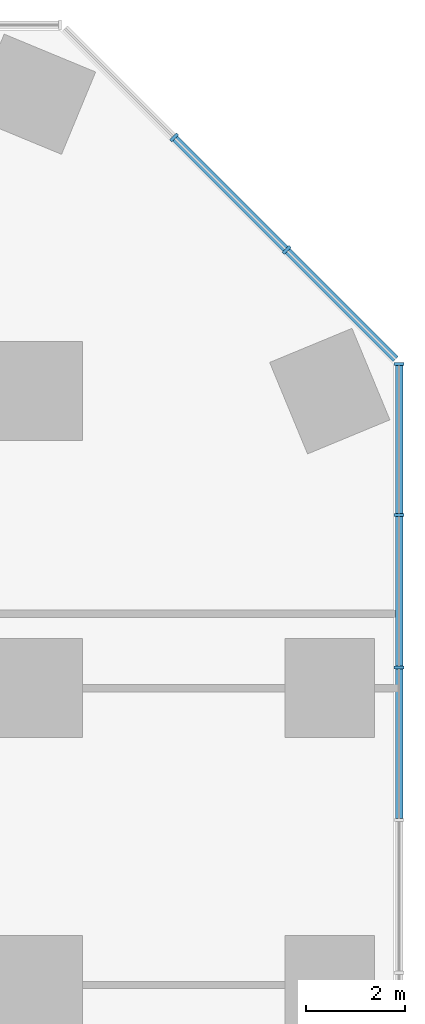
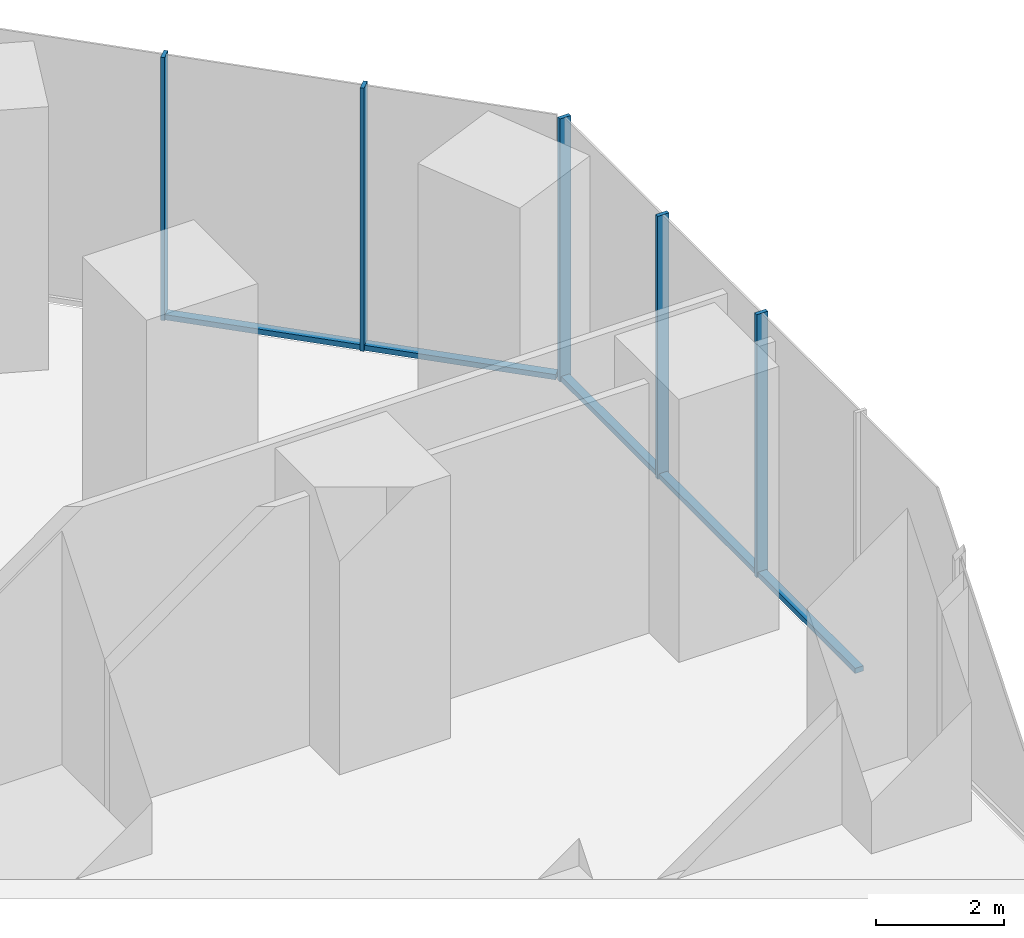
# One storey, part 8 of 15: 10 members, 2 elements without a shape of their own.
"""IFC4 building model written with IfcOpenShell, lengths in metres."""

from ifc_helpers import new_model, si_unit, direction, frame, origin, origin_2d, place, context, subcontext, project, spatial, rectangle, extrude, material, layer, layer_set, material_profile, profile_set, type_object, element, aggregate, save


model = new_model("IFC4")

# Units and contexts
model_context = context("Model", 3, precision=1e-05, world=origin(), true_north=direction((0.0, 1.0)))
body_context = subcontext(model_context, "Body", "Model", "MODEL_VIEW")
ifc_project = project(units=[si_unit("LENGTHUNIT", "METRE"), si_unit("AREAUNIT", "SQUARE_METRE"), si_unit("VOLUMEUNIT", "CUBIC_METRE"), si_unit("PLANEANGLEUNIT", "RADIAN"), si_unit("MASSUNIT", "GRAM", prefix="KILO")], contexts=[model_context])

# Site, building, storey
site_placement = place(None, origin())
site = spatial("IfcSite", under=ifc_project, at=site_placement, CompositionType="ELEMENT")
building_placement = place(site_placement, origin())
building = spatial("IfcBuilding", under=site, at=building_placement, Name="Highveld Stack Headquarters", CompositionType="ELEMENT")
storey_placement = place(building_placement, frame((0.0, 0.0, 6.0)))
storey = spatial("IfcBuildingStorey", under=building, at=storey_placement, Name="L01", CompositionType="ELEMENT", Elevation=6.0)

# Curtain wall, members
ifc_material_1 = material(Name="Aluminium bronze anodised", Category="aluminium")
ifc_layer = layer(ifc_material_1, 0.199951171875)
ifc_layer_set = layer_set([ifc_layer], Name="Aluminium bronze anodised")
curtain_wall_type = type_object("IfcCurtainWallType", Name="CW3 PODIUM STICK CURTAIN WALL", PredefinedType="NOTDEFINED", material=ifc_layer_set)
curtain_wall_1_placement = place(storey_placement, origin())
curtain_wall_1 = element("IfcCurtainWall", 1, at=curtain_wall_1_placement, inside=storey, type_object=curtain_wall_type, Name="Curtain wall CW3 L01 E", PredefinedType="NOTDEFINED")
ifc_material_2 = material(Name="Aluminium bronze anodised", Category="aluminium")
ifc_material_profile_1 = material_profile(ifc_material_2, rectangle(XDim=0.199951171875, YDim=0.06494140625, at=origin_2d()), Name="CW3 MULLION 65x200")
ifc_profile_set_1 = profile_set([ifc_material_profile_1], Name="Aluminium bronze anodised")
member_type_1 = type_object("IfcMemberType", Name="CW3 MULLION 65x200", PredefinedType="MULLION", material=ifc_profile_set_1)
member_1_placement = place(storey_placement, frame((37.39990234375, 18.414306640625, 0.0), z_axis=(0.0, 0.0, 1.0), x_axis=(-1.0, 0.0, 0.0)))
member_1 = element("IfcMember", 2, at=member_1_placement, type_object=member_type_1, Name="CW3 mullion L01 13", PredefinedType="MULLION", context=body_context, shape_type="SweptSolid", body=[
    extrude(rectangle(XDim=0.199951171875, YDim=0.06494140625, at=origin_2d()), origin(), (0.0, 0.0, 1.0), 5.0),
])
member_2_placement = place(storey_placement, frame((37.39990234375, 21.4970703125, 0.0), z_axis=(0.0, 0.0, 1.0), x_axis=(-1.0, 0.0, 0.0)))
member_2 = element("IfcMember", 3, at=member_2_placement, type_object=member_type_1, Name="CW3 mullion L01 14", PredefinedType="MULLION", context=body_context, shape_type="SweptSolid", body=[
    extrude(rectangle(XDim=0.199951171875, YDim=0.06494140625, at=origin_2d()), origin(), (0.0, 0.0, 1.0), 5.0),
])
member_3_placement = place(storey_placement, frame((37.39990234375, 24.54736328125, 0.0), z_axis=(0.0, 0.0, 1.0), x_axis=(-1.0, 0.0, 0.0)))
member_3 = element("IfcMember", 4, at=member_3_placement, type_object=member_type_1, Name="CW3 mullion L01 15", PredefinedType="MULLION", context=body_context, shape_type="SweptSolid", body=[
    extrude(rectangle(XDim=0.199951171875, YDim=0.06494140625, at=origin_2d()), origin(), (0.0, 0.0, 1.0), 5.0),
])

curtain_wall_2_placement = place(storey_placement, origin())
curtain_wall_2 = element("IfcCurtainWall", 5, at=curtain_wall_2_placement, inside=storey, type_object=curtain_wall_type, Name="Curtain wall CW3 L01 NE", PredefinedType="NOTDEFINED")
member_4_placement = place(storey_placement, frame((35.126708984375, 26.853271484375, 0.0), z_axis=(0.0, 0.0, 1.0), x_axis=(-0.707106781187, -0.707106781187, 0.0)))
member_4 = element("IfcMember", 6, at=member_4_placement, type_object=member_type_1, Name="CW3 mullion L01 1", PredefinedType="MULLION", context=body_context, shape_type="SweptSolid", body=[
    extrude(rectangle(XDim=0.199951171875, YDim=0.06494140625, at=origin_2d()), origin(), (0.0, 0.0, 1.0), 5.0),
])
member_5_placement = place(storey_placement, frame((32.853271484375, 29.126708984375, 0.0), z_axis=(0.0, 0.0, 1.0), x_axis=(-0.707106781187, -0.707106781187, 0.0)))
member_5 = element("IfcMember", 7, at=member_5_placement, type_object=member_type_1, Name="CW3 mullion L01 2", PredefinedType="MULLION", context=body_context, shape_type="SweptSolid", body=[
    extrude(rectangle(XDim=0.199951171875, YDim=0.06494140625, at=origin_2d()), origin(), (0.0, 0.0, 1.0), 5.0),
])

# Member
ifc_material_3 = material(Name="Aluminium bronze anodised", Category="aluminium")
ifc_material_profile_2 = material_profile(ifc_material_3, rectangle(XDim=0.14990234375, YDim=0.10009765625, at=origin_2d()), Name="CW3 TRANSOM 150x100")
ifc_profile_set_2 = profile_set([ifc_material_profile_2], Name="Aluminium bronze anodised")
member_type_2 = type_object("IfcMemberType", Name="CW3 STACK TRANSOM 150x100", PredefinedType="USERDEFINED", material=ifc_profile_set_2)
member_6_placement = place(storey_placement, frame((37.39990234375, 15.364013671875, 0.050048828125), z_axis=(0.0, 1.0, 0.0), x_axis=(-1.0, 0.0, 0.0)))
member_6 = element("IfcMember", 8, at=member_6_placement, type_object=member_type_2, Name="CW3 transom L01 12.1", ObjectType="TRANSOM", PredefinedType="USERDEFINED", context=body_context, shape_type="SweptSolid", body=[
    extrude(rectangle(XDim=0.14990234375, YDim=0.10009765625, at=origin_2d()), origin(), (0.0, 0.0, 1.0), 3.017578125),
])

member_7_placement = place(storey_placement, frame((37.39990234375, 18.44677734375, 0.050048828125), z_axis=(0.0, 1.0, 0.0), x_axis=(-1.0, 0.0, 0.0)))
member_7 = element("IfcMember", 9, at=member_7_placement, type_object=member_type_2, Name="CW3 transom L01 13.1", ObjectType="TRANSOM", PredefinedType="USERDEFINED", context=body_context, shape_type="SweptSolid", body=[
    extrude(rectangle(XDim=0.14990234375, YDim=0.10009765625, at=origin_2d()), origin(), (0.0, 0.0, 1.0), 3.017822265625),
])

member_8_placement = place(storey_placement, frame((37.39990234375, 21.529541015625, 0.050048828125), z_axis=(0.0, 1.0, 0.0), x_axis=(-1.0, 0.0, 0.0)))
member_8 = element("IfcMember", 10, at=member_8_placement, type_object=member_type_2, Name="CW3 transom L01 14.1", ObjectType="TRANSOM", PredefinedType="USERDEFINED", context=body_context, shape_type="SweptSolid", body=[
    extrude(rectangle(XDim=0.14990234375, YDim=0.10009765625, at=origin_2d()), origin(), (0.0, 0.0, 1.0), 2.9853515625),
])

aggregate(curtain_wall_1, [member_1, member_2, member_3, member_6, member_7, member_8])

member_9_placement = place(storey_placement, frame((37.329345703125, 24.650634765625, 0.050048828125), z_axis=(-0.707106781187, 0.707106781187, 0.0), x_axis=(-0.707106781187, -0.707106781187, 0.0)))
member_9 = element("IfcMember", 11, at=member_9_placement, type_object=member_type_2, Name="CW3 transom L01 1.1", ObjectType="TRANSOM", PredefinedType="USERDEFINED", context=body_context, shape_type="SweptSolid", body=[
    extrude(rectangle(XDim=0.14990234375, YDim=0.10009765625, at=origin_2d()), origin(), (0.0, 0.0, 1.0), 3.08251953125),
])

member_10_placement = place(storey_placement, frame((35.103759765625, 26.876220703125, 0.050048828125), z_axis=(-0.707106781187, 0.707106781187, 0.0), x_axis=(-0.707106781187, -0.707106781187, 0.0)))
member_10 = element("IfcMember", 12, at=member_10_placement, type_object=member_type_2, Name="CW3 transom L01 2.1", ObjectType="TRANSOM", PredefinedType="USERDEFINED", context=body_context, shape_type="SweptSolid", body=[
    extrude(rectangle(XDim=0.14990234375, YDim=0.10009765625, at=origin_2d()), origin(), (0.0, 0.0, 1.0), 3.150146484375),
])

aggregate(curtain_wall_2, [member_4, member_5, member_9, member_10])

save(model, "model.ifc")
